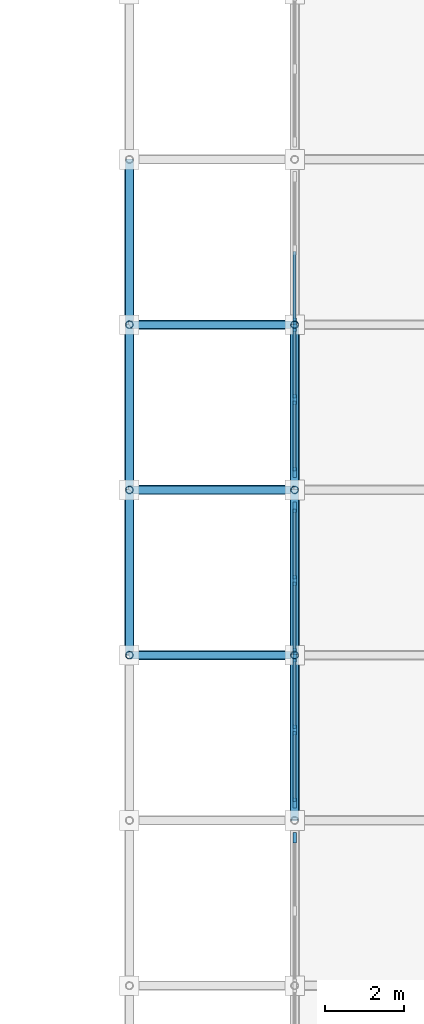
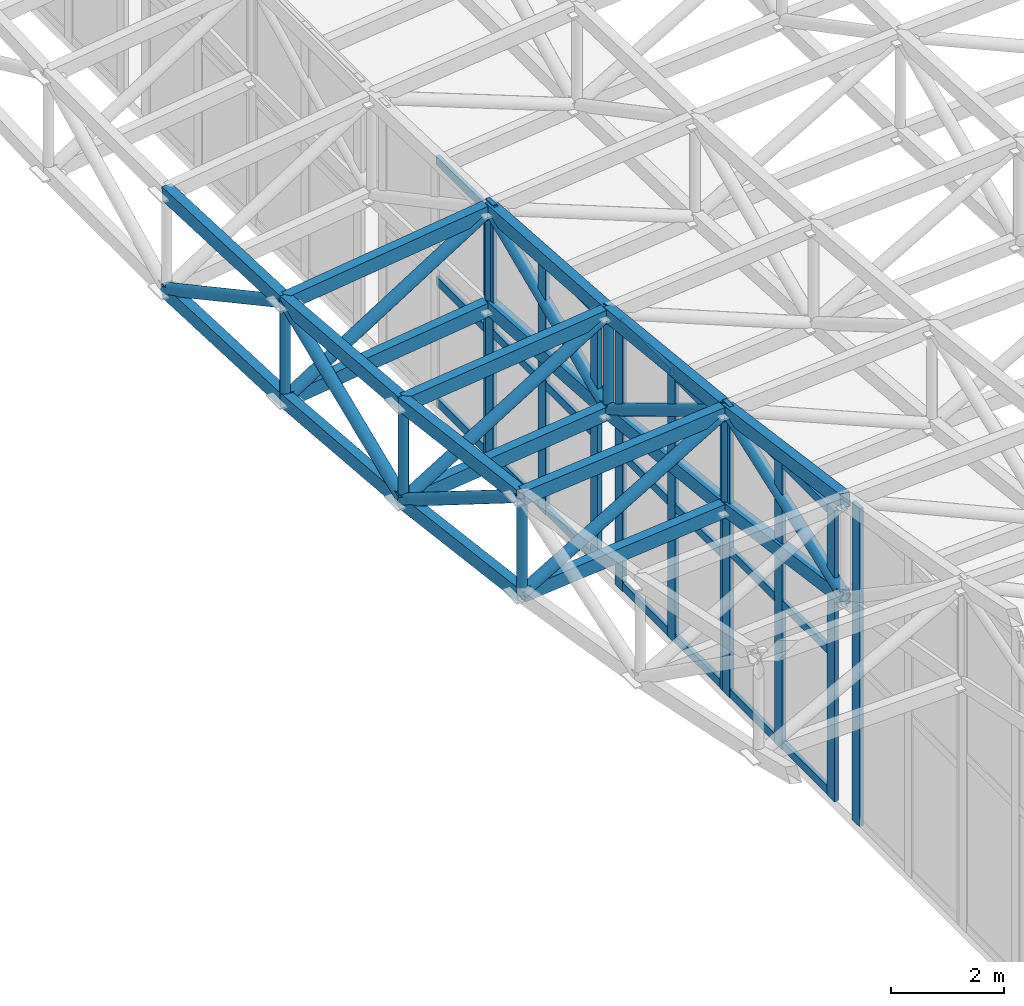
# One storey, part 29 of 123: 65 members, 5 elements without a shape of their own.
"""IFC4 building model written with IfcOpenShell, lengths in metres."""

from ifc_helpers import new_model, si_unit, direction, frame, origin, origin_2d, place, context, subcontext, project, spatial, rectangle, hollow_rectangle, hollow_circle, extrude, material, material_profile, profile_set, type_object, element, aggregate, save


model = new_model("IFC4")

# Units and contexts
model_context = context("Model", 3, precision=1e-05, world=origin(), true_north=direction((0.0, 1.0)))
body_context = subcontext(model_context, "Body", "Model", "MODEL_VIEW")
ifc_project = project(units=[si_unit("LENGTHUNIT", "METRE"), si_unit("AREAUNIT", "SQUARE_METRE"), si_unit("VOLUMEUNIT", "CUBIC_METRE"), si_unit("PLANEANGLEUNIT", "RADIAN"), si_unit("MASSUNIT", "GRAM", prefix="KILO")], contexts=[model_context])

# Site, building, storey
site_placement = place(None, origin())
site = spatial("IfcSite", under=ifc_project, at=site_placement, CompositionType="ELEMENT")
building_placement = place(site_placement, origin())
building = spatial("IfcBuilding", under=site, at=building_placement, Name="Cumbredor Promenade Congress Hotel", CompositionType="ELEMENT")
storey_placement = place(building_placement, frame((0.0, 0.0, 11.760009765625)))
storey = spatial("IfcBuildingStorey", under=building, at=storey_placement, Name="L03", CompositionType="ELEMENT", Elevation=11.760009765625)

# Members
ifc_material_1 = material(Name="Steel ASTM A500 Grade C", Category="steel")
ifc_material_profile_1 = material_profile(ifc_material_1, hollow_rectangle(XDim=0.199951171875, YDim=0.300048828125, WallThickness=0.012451171875, at=origin_2d()), Name="HSS 300x200x12.5")
ifc_profile_set_1 = profile_set([ifc_material_profile_1], Name="Steel ASTM A500 Grade C")
member_type_1 = type_object("IfcMemberType", Name="Ballroom Roof Space Frame Chord", PredefinedType="CHORD", material=ifc_profile_set_1)
for number, where, z_axis, x_axis, name in (
    (1, (138.60009765625, 21.0, 5.71240234375), (0.995622284371, 0.0, 0.093467999143), (0.0, 1.0, 0.0), "Grand Ballroom Pavilion X Top Chord 1.6"),
    (2, (138.60009765625, 21.0, 3.612548828125), (0.995627668519, 0.0, 0.093410629366), (0.0, 1.0, 0.0), "Grand Ballroom Pavilion X Bottom Chord 1.6"),
):
    element("IfcMember", number, at=place(storey_placement, frame(where, z_axis=z_axis, x_axis=x_axis)), inside=storey, type_object=member_type_1, Name=name, PredefinedType="CHORD", context=body_context, shape_type="SweptSolid", body=[
        extrude(hollow_rectangle(XDim=0.199951171875, YDim=0.300048828125, WallThickness=0.012451171875, at=origin_2d()), origin(), (0.0, 0.0, 1.0), 4.218505859375),
    ])
member_1_placement = place(storey_placement, frame((138.60009765625, 25.199951171875, 5.181884765625), z_axis=(0.993382355075, 0.0, 0.114854240786), x_axis=(0.0, 1.0, 0.0)))
element("IfcMember", 3, at=member_1_placement, inside=storey, type_object=member_type_1, Name="Grand Ballroom Pavilion X Top Chord 1.7", PredefinedType="CHORD", context=body_context, shape_type="SweptSolid", body=[
    extrude(hollow_rectangle(XDim=0.199951171875, YDim=0.300048828125, WallThickness=0.012451171875, at=origin_2d()), origin(), (0.0, 0.0, 1.0), 4.22802734375),
])
member_2_placement = place(storey_placement, frame((138.60009765625, 25.199951171875, 3.08203125), z_axis=(0.99338894182, 0.0, 0.114797257242), x_axis=(0.0, 1.0, 0.0)))
element("IfcMember", 4, at=member_2_placement, inside=storey, type_object=member_type_1, Name="Grand Ballroom Pavilion X Bottom Chord 1.7", PredefinedType="CHORD", context=body_context, shape_type="SweptSolid", body=[
    extrude(hollow_rectangle(XDim=0.199951171875, YDim=0.300048828125, WallThickness=0.012451171875, at=origin_2d()), origin(), (0.0, 0.0, 1.0), 4.227783203125),
])
for number, where, z_axis, x_axis, name in (
    (5, (138.60009765625, 29.39990234375, 4.828369140625), (0.991651121534, 0.0, 0.128949808689), (0.0, 1.0, 0.0), "Grand Ballroom Pavilion X Top Chord 1.8"),
    (6, (138.60009765625, 29.39990234375, 2.728271484375), (0.991643748834, 0.0, 0.129006493628), (0.0, 1.0, 0.0), "Grand Ballroom Pavilion X Bottom Chord 1.8"),
):
    element("IfcMember", number, at=place(storey_placement, frame(where, z_axis=z_axis, x_axis=x_axis)), inside=storey, type_object=member_type_1, Name=name, PredefinedType="CHORD", context=body_context, shape_type="SweptSolid", body=[
        extrude(hollow_rectangle(XDim=0.199951171875, YDim=0.300048828125, WallThickness=0.012451171875, at=origin_2d()), origin(), (0.0, 0.0, 1.0), 4.2353515625),
    ])
for number, where, z_axis, x_axis, name in (
    (7, (138.60009765625, 21.0, 5.71240234375), (0.0, 0.992116453102, -0.125319365959), (-1.0, 0.0, 0.0), "Grand Ballroom Pavilion Y Top Chord 1.6"),
    (8, (138.60009765625, 21.0, 3.612548828125), (0.0, 0.992116453102, -0.125319365959), (-1.0, 0.0, 0.0), "Grand Ballroom Pavilion Y Bottom Chord 1.6"),
):
    element("IfcMember", number, at=place(storey_placement, frame(where, z_axis=z_axis, x_axis=x_axis)), inside=storey, type_object=member_type_1, Name=name, PredefinedType="CHORD", context=body_context, shape_type="SweptSolid", body=[
        extrude(hollow_rectangle(XDim=0.199951171875, YDim=0.300048828125, WallThickness=0.012451171875, at=origin_2d()), origin(), (0.0, 0.0, 1.0), 4.2333984375),
    ])
for number, where, z_axis, x_axis, name in (
    (9, (138.60009765625, 25.199951171875, 5.181884765625), (0.0, 0.996476303168, -0.083874771086), (-1.0, 0.0, 0.0), "Grand Ballroom Pavilion Y Top Chord 1.7"),
    (10, (138.60009765625, 25.199951171875, 3.08203125), (0.0, 0.996471460241, -0.083932287734), (-1.0, 0.0, 0.0), "Grand Ballroom Pavilion Y Bottom Chord 1.7"),
):
    element("IfcMember", number, at=place(storey_placement, frame(where, z_axis=z_axis, x_axis=x_axis)), inside=storey, type_object=member_type_1, Name=name, PredefinedType="CHORD", context=body_context, shape_type="SweptSolid", body=[
        extrude(hollow_rectangle(XDim=0.199951171875, YDim=0.300048828125, WallThickness=0.012451171875, at=origin_2d()), origin(), (0.0, 0.0, 1.0), 4.21484375),
    ])
for number, where, z_axis, x_axis, name in (
    (11, (138.60009765625, 29.39990234375, 4.828369140625), (0.0, 0.999115675035, -0.0420460212), (-1.0, 0.0, 0.0), "Grand Ballroom Pavilion Y Top Chord 1.8"),
    (12, (138.60009765625, 29.39990234375, 2.728271484375), (0.0, 0.999115675035, -0.0420460212), (-1.0, 0.0, 0.0), "Grand Ballroom Pavilion Y Bottom Chord 1.8"),
):
    element("IfcMember", number, at=place(storey_placement, frame(where, z_axis=z_axis, x_axis=x_axis)), inside=storey, type_object=member_type_1, Name=name, PredefinedType="CHORD", context=body_context, shape_type="SweptSolid", body=[
        extrude(hollow_rectangle(XDim=0.199951171875, YDim=0.300048828125, WallThickness=0.012451171875, at=origin_2d()), origin(), (0.0, 0.0, 1.0), 4.203857421875),
    ])
for number, where, z_axis, x_axis, name in (
    (13, (142.800048828125, 16.800048828125, 6.69189453125), (0.0, 0.99043181531, -0.138002968162), (-1.0, 0.0, 0.0), "Grand Ballroom Pavilion Y Top Chord 2.5"),
    (14, (142.800048828125, 16.800048828125, 4.592041015625), (0.0, 0.990423944511, -0.138059444221), (-1.0, 0.0, 0.0), "Grand Ballroom Pavilion Y Bottom Chord 2.5"),
):
    element("IfcMember", number, at=place(storey_placement, frame(where, z_axis=z_axis, x_axis=x_axis)), inside=storey, type_object=member_type_1, Name=name, PredefinedType="CHORD", context=body_context, shape_type="SweptSolid", body=[
        extrude(hollow_rectangle(XDim=0.199951171875, YDim=0.300048828125, WallThickness=0.012451171875, at=origin_2d()), origin(), (0.0, 0.0, 1.0), 4.240478515625),
    ])
for number, where, z_axis, x_axis, name in (
    (15, (142.800048828125, 21.0, 6.106689453125), (0.0, 0.994576500093, -0.10400762214), (-1.0, 0.0, 0.0), "Grand Ballroom Pavilion Y Top Chord 2.6"),
    (16, (142.800048828125, 21.0, 4.006591796875), (0.0, 0.994576500093, -0.10400762214), (-1.0, 0.0, 0.0), "Grand Ballroom Pavilion Y Bottom Chord 2.6"),
):
    element("IfcMember", number, at=place(storey_placement, frame(where, z_axis=z_axis, x_axis=x_axis)), inside=storey, type_object=member_type_1, Name=name, PredefinedType="CHORD", context=body_context, shape_type="SweptSolid", body=[
        extrude(hollow_rectangle(XDim=0.199951171875, YDim=0.300048828125, WallThickness=0.012451171875, at=origin_2d()), origin(), (0.0, 0.0, 1.0), 4.222900390625),
    ])
for number, where, z_axis, x_axis, name in (
    (17, (142.800048828125, 25.199951171875, 5.66748046875), (0.0, 0.997575943438, -0.06958618451), (-1.0, 0.0, 0.0), "Grand Ballroom Pavilion Y Top Chord 2.7"),
    (18, (142.800048828125, 25.199951171875, 3.5673828125), (0.0, 0.997579967201, -0.069528476468), (-1.0, 0.0, 0.0), "Grand Ballroom Pavilion Y Bottom Chord 2.7"),
):
    element("IfcMember", number, at=place(storey_placement, frame(where, z_axis=z_axis, x_axis=x_axis)), inside=storey, type_object=member_type_1, Name=name, PredefinedType="CHORD", context=body_context, shape_type="SweptSolid", body=[
        extrude(hollow_rectangle(XDim=0.199951171875, YDim=0.300048828125, WallThickness=0.012451171875, at=origin_2d()), origin(), (0.0, 0.0, 1.0), 4.210205078125),
    ])

# Curtain wall, member
ifc_material_2 = material(Name="Thermally broken anodized aluminium and low-E glass", Category="aluminium")
curtain_wall_type = type_object("IfcCurtainWallType", Name="Stepped Pavilion Clerestory Curtain Wall CW-06", PredefinedType="NOTDEFINED", material=ifc_material_2)
curtain_wall_1_placement = place(storey_placement, origin())
curtain_wall_1 = element("IfcCurtainWall", 19, at=curtain_wall_1_placement, inside=storey, type_object=curtain_wall_type, Name="Grand Ballroom Pavilion W Glazed Clerestory 2", PredefinedType="NOTDEFINED")
ifc_material_3 = material(Name="Thermally broken anodized aluminium", Category="aluminium")
ifc_material_profile_2 = material_profile(ifc_material_3, rectangle(XDim=0.0849609375, YDim=0.260009765625, at=origin_2d()), Name="ALU MULLION CLERESTORY 85x260")
ifc_profile_set_2 = profile_set([ifc_material_profile_2], Name="Thermally broken anodized aluminium")
member_type_2 = type_object("IfcMemberType", Name="Curtain Wall Mullion ML-04", PredefinedType="MULLION", material=ifc_profile_set_2)
member_3_placement = place(storey_placement, frame((142.800048828125, 16.360107421875, -0.01806640625), z_axis=(0.0, 0.0, 1.0), x_axis=(1.0, 0.0, 0.0)))
member_3 = element("IfcMember", 20, at=member_3_placement, type_object=member_type_2, Name="Grand Ballroom Pavilion W Glazed Clerestory 2 Mullion 3", PredefinedType="MULLION", context=body_context, shape_type="SweptSolid", body=[
    extrude(rectangle(XDim=0.0849609375, YDim=0.260009765625, at=origin_2d()), origin(), (0.0, 0.0, 1.0), 6.885986328125),
])
aggregate(curtain_wall_1, [member_3])

# Curtain wall, members
curtain_wall_2_placement = place(storey_placement, origin())
curtain_wall_2 = element("IfcCurtainWall", 21, at=curtain_wall_2_placement, inside=storey, type_object=curtain_wall_type, Name="Grand Ballroom Pavilion W Glazed Clerestory 3", PredefinedType="NOTDEFINED")
member_4_placement = place(storey_placement, frame((142.800048828125, 17.239990234375, -0.01806640625), z_axis=(0.0, 0.0, 1.0), x_axis=(1.0, 0.0, 0.0)))
member_4 = element("IfcMember", 22, at=member_4_placement, type_object=member_type_2, Name="Grand Ballroom Pavilion W Glazed Clerestory 3 Mullion 1", PredefinedType="MULLION", context=body_context, shape_type="SweptSolid", body=[
    extrude(rectangle(XDim=0.0849609375, YDim=0.260009765625, at=origin_2d()), origin(), (0.0, 0.0, 1.0), 6.300537109375),
])
member_5_placement = place(storey_placement, frame((142.800048828125, 19.10009765625, -0.01806640625), z_axis=(0.0, 0.0, 1.0), x_axis=(1.0, 0.0, 0.0)))
member_5 = element("IfcMember", 23, at=member_5_placement, type_object=member_type_2, Name="Grand Ballroom Pavilion W Glazed Clerestory 3 Mullion 2", PredefinedType="MULLION", context=body_context, shape_type="SweptSolid", body=[
    extrude(rectangle(XDim=0.0849609375, YDim=0.260009765625, at=origin_2d()), origin(), (0.0, 0.0, 1.0), 6.300537109375),
])
member_6_placement = place(storey_placement, frame((142.800048828125, 20.9599609375, -0.01806640625), z_axis=(0.0, 0.0, 1.0), x_axis=(1.0, 0.0, 0.0)))
member_6 = element("IfcMember", 24, at=member_6_placement, type_object=member_type_2, Name="Grand Ballroom Pavilion W Glazed Clerestory 3 Mullion 3", PredefinedType="MULLION", context=body_context, shape_type="SweptSolid", body=[
    extrude(rectangle(XDim=0.0849609375, YDim=0.260009765625, at=origin_2d()), origin(), (0.0, 0.0, 1.0), 6.300537109375),
])

curtain_wall_3_placement = place(storey_placement, origin())
curtain_wall_3 = element("IfcCurtainWall", 25, at=curtain_wall_3_placement, inside=storey, type_object=curtain_wall_type, Name="Grand Ballroom Pavilion W Glazed Clerestory 4", PredefinedType="NOTDEFINED")
member_7_placement = place(storey_placement, frame((142.800048828125, 21.0400390625, -0.01806640625), z_axis=(0.0, 0.0, 1.0), x_axis=(1.0, 0.0, 0.0)))
member_7 = element("IfcMember", 26, at=member_7_placement, type_object=member_type_2, Name="Grand Ballroom Pavilion W Glazed Clerestory 4 Mullion 1", PredefinedType="MULLION", context=body_context, shape_type="SweptSolid", body=[
    extrude(rectangle(XDim=0.0849609375, YDim=0.260009765625, at=origin_2d()), origin(), (0.0, 0.0, 1.0), 5.861572265625),
])
member_8_placement = place(storey_placement, frame((142.800048828125, 22.89990234375, -0.01806640625), z_axis=(0.0, 0.0, 1.0), x_axis=(1.0, 0.0, 0.0)))
member_8 = element("IfcMember", 27, at=member_8_placement, type_object=member_type_2, Name="Grand Ballroom Pavilion W Glazed Clerestory 4 Mullion 2", PredefinedType="MULLION", context=body_context, shape_type="SweptSolid", body=[
    extrude(rectangle(XDim=0.0849609375, YDim=0.260009765625, at=origin_2d()), origin(), (0.0, 0.0, 1.0), 5.861572265625),
])
member_9_placement = place(storey_placement, frame((142.800048828125, 24.760009765625, -0.01806640625), z_axis=(0.0, 0.0, 1.0), x_axis=(1.0, 0.0, 0.0)))
member_9 = element("IfcMember", 28, at=member_9_placement, type_object=member_type_2, Name="Grand Ballroom Pavilion W Glazed Clerestory 4 Mullion 3", PredefinedType="MULLION", context=body_context, shape_type="SweptSolid", body=[
    extrude(rectangle(XDim=0.0849609375, YDim=0.260009765625, at=origin_2d()), origin(), (0.0, 0.0, 1.0), 5.861572265625),
])

curtain_wall_4_placement = place(storey_placement, origin())
curtain_wall_4 = element("IfcCurtainWall", 29, at=curtain_wall_4_placement, inside=storey, type_object=curtain_wall_type, Name="Grand Ballroom Pavilion W Glazed Clerestory 5", PredefinedType="NOTDEFINED")
member_10_placement = place(storey_placement, frame((142.800048828125, 25.639892578125, -0.01806640625), z_axis=(0.0, 0.0, 1.0), x_axis=(1.0, 0.0, 0.0)))
member_10 = element("IfcMember", 30, at=member_10_placement, type_object=member_type_2, Name="Grand Ballroom Pavilion W Glazed Clerestory 5 Mullion 1", PredefinedType="MULLION", context=body_context, shape_type="SweptSolid", body=[
    extrude(rectangle(XDim=0.0849609375, YDim=0.260009765625, at=origin_2d()), origin(), (0.0, 0.0, 1.0), 5.568603515625),
])
member_11_placement = place(storey_placement, frame((142.800048828125, 27.5, -0.01806640625), z_axis=(0.0, 0.0, 1.0), x_axis=(1.0, 0.0, 0.0)))
member_11 = element("IfcMember", 31, at=member_11_placement, type_object=member_type_2, Name="Grand Ballroom Pavilion W Glazed Clerestory 5 Mullion 2", PredefinedType="MULLION", context=body_context, shape_type="SweptSolid", body=[
    extrude(rectangle(XDim=0.0849609375, YDim=0.260009765625, at=origin_2d()), origin(), (0.0, 0.0, 1.0), 5.568603515625),
])
member_12_placement = place(storey_placement, frame((142.800048828125, 29.360107421875, -0.01806640625), z_axis=(0.0, 0.0, 1.0), x_axis=(1.0, 0.0, 0.0)))
member_12 = element("IfcMember", 32, at=member_12_placement, type_object=member_type_2, Name="Grand Ballroom Pavilion W Glazed Clerestory 5 Mullion 3", PredefinedType="MULLION", context=body_context, shape_type="SweptSolid", body=[
    extrude(rectangle(XDim=0.0849609375, YDim=0.260009765625, at=origin_2d()), origin(), (0.0, 0.0, 1.0), 5.568603515625),
])

# Curtain wall, member
curtain_wall_5_placement = place(storey_placement, origin())
curtain_wall_5 = element("IfcCurtainWall", 33, at=curtain_wall_5_placement, inside=storey, type_object=curtain_wall_type, Name="Grand Ballroom Pavilion W Glazed Clerestory 6", PredefinedType="NOTDEFINED")
member_13_placement = place(storey_placement, frame((142.800048828125, 29.43994140625, -0.01806640625), z_axis=(0.0, 0.0, 1.0), x_axis=(1.0, 0.0, 0.0)))
member_13 = element("IfcMember", 34, at=member_13_placement, type_object=member_type_2, Name="Grand Ballroom Pavilion W Glazed Clerestory 6 Mullion 1", PredefinedType="MULLION", context=body_context, shape_type="SweptSolid", body=[
    extrude(rectangle(XDim=0.0849609375, YDim=0.260009765625, at=origin_2d()), origin(), (0.0, 0.0, 1.0), 5.42236328125),
])

# Member
ifc_material_profile_3 = material_profile(ifc_material_3, rectangle(XDim=0.080078125, YDim=0.179931640625, at=origin_2d()), Name="ALU TRANSOM 80x180")
ifc_profile_set_3 = profile_set([ifc_material_profile_3], Name="Thermally broken anodized aluminium")
member_type_3 = type_object("IfcMemberType", Name="Curtain Wall Transom TR-03", PredefinedType="USERDEFINED", material=ifc_profile_set_3)
member_14_placement = place(storey_placement, frame((142.800048828125, 17.282470703125, 0.080078125), z_axis=(0.0, 1.0, 0.0), x_axis=(-1.0, 0.0, 0.0)))
member_14 = element("IfcMember", 35, at=member_14_placement, type_object=member_type_3, Name="Grand Ballroom Pavilion W Glazed Clerestory 3 Transom 1.1", ObjectType="TRANSOM", PredefinedType="USERDEFINED", context=body_context, shape_type="SweptSolid", body=[
    extrude(rectangle(XDim=0.080078125, YDim=0.179931640625, at=origin_2d()), origin(), (0.0, 0.0, 1.0), 1.775146484375),
])

member_15_placement = place(storey_placement, frame((142.800048828125, 17.282470703125, 3.1298828125), z_axis=(0.0, 1.0, 0.0), x_axis=(-1.0, 0.0, 0.0)))
member_15 = element("IfcMember", 36, at=member_15_placement, type_object=member_type_3, Name="Grand Ballroom Pavilion W Glazed Clerestory 3 Transom 1.2", ObjectType="TRANSOM", PredefinedType="USERDEFINED", context=body_context, shape_type="SweptSolid", body=[
    extrude(rectangle(XDim=0.080078125, YDim=0.179931640625, at=origin_2d()), origin(), (0.0, 0.0, 1.0), 1.775146484375),
])

member_16_placement = place(storey_placement, frame((142.800048828125, 17.282470703125, 6.179931640625), z_axis=(0.0, 1.0, 0.0), x_axis=(-1.0, 0.0, 0.0)))
member_16 = element("IfcMember", 37, at=member_16_placement, type_object=member_type_3, Name="Grand Ballroom Pavilion W Glazed Clerestory 3 Transom 1.3", ObjectType="TRANSOM", PredefinedType="USERDEFINED", context=body_context, shape_type="SweptSolid", body=[
    extrude(rectangle(XDim=0.080078125, YDim=0.179931640625, at=origin_2d()), origin(), (0.0, 0.0, 1.0), 1.775146484375),
])

member_17_placement = place(storey_placement, frame((142.800048828125, 19.142578125, 0.080078125), z_axis=(0.0, 1.0, 0.0), x_axis=(-1.0, 0.0, 0.0)))
member_17 = element("IfcMember", 38, at=member_17_placement, type_object=member_type_3, Name="Grand Ballroom Pavilion W Glazed Clerestory 3 Transom 2.1", ObjectType="TRANSOM", PredefinedType="USERDEFINED", context=body_context, shape_type="SweptSolid", body=[
    extrude(rectangle(XDim=0.080078125, YDim=0.179931640625, at=origin_2d()), origin(), (0.0, 0.0, 1.0), 1.77490234375),
])

member_18_placement = place(storey_placement, frame((142.800048828125, 19.142578125, 3.1298828125), z_axis=(0.0, 1.0, 0.0), x_axis=(-1.0, 0.0, 0.0)))
member_18 = element("IfcMember", 39, at=member_18_placement, type_object=member_type_3, Name="Grand Ballroom Pavilion W Glazed Clerestory 3 Transom 2.2", ObjectType="TRANSOM", PredefinedType="USERDEFINED", context=body_context, shape_type="SweptSolid", body=[
    extrude(rectangle(XDim=0.080078125, YDim=0.179931640625, at=origin_2d()), origin(), (0.0, 0.0, 1.0), 1.77490234375),
])

member_19_placement = place(storey_placement, frame((142.800048828125, 19.142578125, 6.179931640625), z_axis=(0.0, 1.0, 0.0), x_axis=(-1.0, 0.0, 0.0)))
member_19 = element("IfcMember", 40, at=member_19_placement, type_object=member_type_3, Name="Grand Ballroom Pavilion W Glazed Clerestory 3 Transom 2.3", ObjectType="TRANSOM", PredefinedType="USERDEFINED", context=body_context, shape_type="SweptSolid", body=[
    extrude(rectangle(XDim=0.080078125, YDim=0.179931640625, at=origin_2d()), origin(), (0.0, 0.0, 1.0), 1.77490234375),
])

aggregate(curtain_wall_2, [member_4, member_5, member_6, member_14, member_15, member_16, member_17, member_18, member_19])

member_20_placement = place(storey_placement, frame((142.800048828125, 21.08251953125, 0.080078125), z_axis=(0.0, 1.0, 0.0), x_axis=(-1.0, 0.0, 0.0)))
member_20 = element("IfcMember", 41, at=member_20_placement, type_object=member_type_3, Name="Grand Ballroom Pavilion W Glazed Clerestory 4 Transom 1.1", ObjectType="TRANSOM", PredefinedType="USERDEFINED", context=body_context, shape_type="SweptSolid", body=[
    extrude(rectangle(XDim=0.080078125, YDim=0.179931640625, at=origin_2d()), origin(), (0.0, 0.0, 1.0), 1.77490234375),
])

member_21_placement = place(storey_placement, frame((142.800048828125, 21.08251953125, 2.919921875), z_axis=(0.0, 1.0, 0.0), x_axis=(-1.0, 0.0, 0.0)))
member_21 = element("IfcMember", 42, at=member_21_placement, type_object=member_type_3, Name="Grand Ballroom Pavilion W Glazed Clerestory 4 Transom 1.2", ObjectType="TRANSOM", PredefinedType="USERDEFINED", context=body_context, shape_type="SweptSolid", body=[
    extrude(rectangle(XDim=0.080078125, YDim=0.179931640625, at=origin_2d()), origin(), (0.0, 0.0, 1.0), 1.77490234375),
])

member_22_placement = place(storey_placement, frame((142.800048828125, 21.08251953125, 5.75), z_axis=(0.0, 1.0, 0.0), x_axis=(-1.0, 0.0, 0.0)))
member_22 = element("IfcMember", 43, at=member_22_placement, type_object=member_type_3, Name="Grand Ballroom Pavilion W Glazed Clerestory 4 Transom 1.3", ObjectType="TRANSOM", PredefinedType="USERDEFINED", context=body_context, shape_type="SweptSolid", body=[
    extrude(rectangle(XDim=0.080078125, YDim=0.179931640625, at=origin_2d()), origin(), (0.0, 0.0, 1.0), 1.77490234375),
])

member_23_placement = place(storey_placement, frame((142.800048828125, 22.9423828125, 0.080078125), z_axis=(0.0, 1.0, 0.0), x_axis=(-1.0, 0.0, 0.0)))
member_23 = element("IfcMember", 44, at=member_23_placement, type_object=member_type_3, Name="Grand Ballroom Pavilion W Glazed Clerestory 4 Transom 2.1", ObjectType="TRANSOM", PredefinedType="USERDEFINED", context=body_context, shape_type="SweptSolid", body=[
    extrude(rectangle(XDim=0.080078125, YDim=0.179931640625, at=origin_2d()), origin(), (0.0, 0.0, 1.0), 1.775146484375),
])

member_24_placement = place(storey_placement, frame((142.800048828125, 22.9423828125, 2.919921875), z_axis=(0.0, 1.0, 0.0), x_axis=(-1.0, 0.0, 0.0)))
member_24 = element("IfcMember", 45, at=member_24_placement, type_object=member_type_3, Name="Grand Ballroom Pavilion W Glazed Clerestory 4 Transom 2.2", ObjectType="TRANSOM", PredefinedType="USERDEFINED", context=body_context, shape_type="SweptSolid", body=[
    extrude(rectangle(XDim=0.080078125, YDim=0.179931640625, at=origin_2d()), origin(), (0.0, 0.0, 1.0), 1.775146484375),
])

member_25_placement = place(storey_placement, frame((142.800048828125, 22.9423828125, 5.75), z_axis=(0.0, 1.0, 0.0), x_axis=(-1.0, 0.0, 0.0)))
member_25 = element("IfcMember", 46, at=member_25_placement, type_object=member_type_3, Name="Grand Ballroom Pavilion W Glazed Clerestory 4 Transom 2.3", ObjectType="TRANSOM", PredefinedType="USERDEFINED", context=body_context, shape_type="SweptSolid", body=[
    extrude(rectangle(XDim=0.080078125, YDim=0.179931640625, at=origin_2d()), origin(), (0.0, 0.0, 1.0), 1.775146484375),
])

aggregate(curtain_wall_3, [member_7, member_8, member_9, member_20, member_21, member_22, member_23, member_24, member_25])

member_26_placement = place(storey_placement, frame((142.800048828125, 25.6826171875, 0.080078125), z_axis=(0.0, 1.0, 0.0), x_axis=(-1.0, 0.0, 0.0)))
member_26 = element("IfcMember", 47, at=member_26_placement, type_object=member_type_3, Name="Grand Ballroom Pavilion W Glazed Clerestory 5 Transom 1.1", ObjectType="TRANSOM", PredefinedType="USERDEFINED", context=body_context, shape_type="SweptSolid", body=[
    extrude(rectangle(XDim=0.080078125, YDim=0.179931640625, at=origin_2d()), origin(), (0.0, 0.0, 1.0), 1.77490234375),
])

member_27_placement = place(storey_placement, frame((142.800048828125, 25.6826171875, 2.77001953125), z_axis=(0.0, 1.0, 0.0), x_axis=(-1.0, 0.0, 0.0)))
member_27 = element("IfcMember", 48, at=member_27_placement, type_object=member_type_3, Name="Grand Ballroom Pavilion W Glazed Clerestory 5 Transom 1.2", ObjectType="TRANSOM", PredefinedType="USERDEFINED", context=body_context, shape_type="SweptSolid", body=[
    extrude(rectangle(XDim=0.080078125, YDim=0.179931640625, at=origin_2d()), origin(), (0.0, 0.0, 1.0), 1.77490234375),
])

member_28_placement = place(storey_placement, frame((142.800048828125, 25.6826171875, 5.449951171875), z_axis=(0.0, 1.0, 0.0), x_axis=(-1.0, 0.0, 0.0)))
member_28 = element("IfcMember", 49, at=member_28_placement, type_object=member_type_3, Name="Grand Ballroom Pavilion W Glazed Clerestory 5 Transom 1.3", ObjectType="TRANSOM", PredefinedType="USERDEFINED", context=body_context, shape_type="SweptSolid", body=[
    extrude(rectangle(XDim=0.080078125, YDim=0.179931640625, at=origin_2d()), origin(), (0.0, 0.0, 1.0), 1.77490234375),
])

member_29_placement = place(storey_placement, frame((142.800048828125, 27.54248046875, 0.080078125), z_axis=(0.0, 1.0, 0.0), x_axis=(-1.0, 0.0, 0.0)))
member_29 = element("IfcMember", 50, at=member_29_placement, type_object=member_type_3, Name="Grand Ballroom Pavilion W Glazed Clerestory 5 Transom 2.1", ObjectType="TRANSOM", PredefinedType="USERDEFINED", context=body_context, shape_type="SweptSolid", body=[
    extrude(rectangle(XDim=0.080078125, YDim=0.179931640625, at=origin_2d()), origin(), (0.0, 0.0, 1.0), 1.77490234375),
])

member_30_placement = place(storey_placement, frame((142.800048828125, 27.54248046875, 2.77001953125), z_axis=(0.0, 1.0, 0.0), x_axis=(-1.0, 0.0, 0.0)))
member_30 = element("IfcMember", 51, at=member_30_placement, type_object=member_type_3, Name="Grand Ballroom Pavilion W Glazed Clerestory 5 Transom 2.2", ObjectType="TRANSOM", PredefinedType="USERDEFINED", context=body_context, shape_type="SweptSolid", body=[
    extrude(rectangle(XDim=0.080078125, YDim=0.179931640625, at=origin_2d()), origin(), (0.0, 0.0, 1.0), 1.77490234375),
])

member_31_placement = place(storey_placement, frame((142.800048828125, 27.54248046875, 5.449951171875), z_axis=(0.0, 1.0, 0.0), x_axis=(-1.0, 0.0, 0.0)))
member_31 = element("IfcMember", 52, at=member_31_placement, type_object=member_type_3, Name="Grand Ballroom Pavilion W Glazed Clerestory 5 Transom 2.3", ObjectType="TRANSOM", PredefinedType="USERDEFINED", context=body_context, shape_type="SweptSolid", body=[
    extrude(rectangle(XDim=0.080078125, YDim=0.179931640625, at=origin_2d()), origin(), (0.0, 0.0, 1.0), 1.77490234375),
])

aggregate(curtain_wall_4, [member_10, member_11, member_12, member_26, member_27, member_28, member_29, member_30, member_31])

member_32_placement = place(storey_placement, frame((142.800048828125, 29.482421875, 0.080078125), z_axis=(0.0, 1.0, 0.0), x_axis=(-1.0, 0.0, 0.0)))
member_32 = element("IfcMember", 53, at=member_32_placement, type_object=member_type_3, Name="Grand Ballroom Pavilion W Glazed Clerestory 6 Transom 1.1", ObjectType="TRANSOM", PredefinedType="USERDEFINED", context=body_context, shape_type="SweptSolid", body=[
    extrude(rectangle(XDim=0.080078125, YDim=0.179931640625, at=origin_2d()), origin(), (0.0, 0.0, 1.0), 1.775146484375),
])

member_33_placement = place(storey_placement, frame((142.800048828125, 29.482421875, 2.699951171875), z_axis=(0.0, 1.0, 0.0), x_axis=(-1.0, 0.0, 0.0)))
member_33 = element("IfcMember", 54, at=member_33_placement, type_object=member_type_3, Name="Grand Ballroom Pavilion W Glazed Clerestory 6 Transom 1.2", ObjectType="TRANSOM", PredefinedType="USERDEFINED", context=body_context, shape_type="SweptSolid", body=[
    extrude(rectangle(XDim=0.080078125, YDim=0.179931640625, at=origin_2d()), origin(), (0.0, 0.0, 1.0), 1.775146484375),
])

member_34_placement = place(storey_placement, frame((142.800048828125, 29.482421875, 5.31005859375), z_axis=(0.0, 1.0, 0.0), x_axis=(-1.0, 0.0, 0.0)))
member_34 = element("IfcMember", 55, at=member_34_placement, type_object=member_type_3, Name="Grand Ballroom Pavilion W Glazed Clerestory 6 Transom 1.3", ObjectType="TRANSOM", PredefinedType="USERDEFINED", context=body_context, shape_type="SweptSolid", body=[
    extrude(rectangle(XDim=0.080078125, YDim=0.179931640625, at=origin_2d()), origin(), (0.0, 0.0, 1.0), 1.775146484375),
])

aggregate(curtain_wall_5, [member_13, member_32, member_33, member_34])

# Members
ifc_material_profile_4 = material_profile(ifc_material_1, hollow_circle(Radius=0.122314453125, WallThickness=0.012451171875, at=origin_2d()), Name="CHS 244.5x12.5")
ifc_profile_set_4 = profile_set([ifc_material_profile_4], Name="Steel ASTM A500 Grade C")
member_type_4 = type_object("IfcMemberType", Name="Space Frame Web Diagonal D2", PredefinedType="BRACE", material=ifc_profile_set_4)
member_35_placement = place(storey_placement, frame((138.60009765625, 21.0, 3.612548828125), z_axis=(0.859817030467, 0.0, 0.510602266073), x_axis=(0.0, 1.0, 0.0)))
element("IfcMember", 56, at=member_35_placement, inside=storey, type_object=member_type_4, Name="Grand Ballroom Pavilion X Web Diagonal 1.6", PredefinedType="BRACE", context=body_context, shape_type="SweptSolid", body=[
    extrude(hollow_circle(Radius=0.122314453125, WallThickness=0.012451171875, at=origin_2d()), origin(), (0.0, 0.0, 1.0), 4.884765625),
])
member_36_placement = place(storey_placement, frame((138.60009765625, 25.199951171875, 3.08203125), z_axis=(0.851580124067, 0.0, 0.524224467469), x_axis=(0.0, 1.0, 0.0)))
element("IfcMember", 57, at=member_36_placement, inside=storey, type_object=member_type_4, Name="Grand Ballroom Pavilion X Web Diagonal 1.7", PredefinedType="BRACE", context=body_context, shape_type="SweptSolid", body=[
    extrude(hollow_circle(Radius=0.122314453125, WallThickness=0.012451171875, at=origin_2d()), origin(), (0.0, 0.0, 1.0), 4.931884765625),
])
member_37_placement = place(storey_placement, frame((138.60009765625, 29.39990234375, 2.728271484375), z_axis=(0.846066896531, 0.0, 0.533076736122), x_axis=(0.0, 1.0, 0.0)))
element("IfcMember", 58, at=member_37_placement, inside=storey, type_object=member_type_4, Name="Grand Ballroom Pavilion X Web Diagonal 1.8", PredefinedType="BRACE", context=body_context, shape_type="SweptSolid", body=[
    extrude(hollow_circle(Radius=0.122314453125, WallThickness=0.012451171875, at=origin_2d()), origin(), (0.0, 0.0, 1.0), 4.964111328125),
])
member_38_placement = place(storey_placement, frame((138.60009765625, 21.0, 5.71240234375), z_axis=(0.0, 0.84750805815, -0.530782527379), x_axis=(-1.0, 0.0, 0.0)))
element("IfcMember", 59, at=member_38_placement, inside=storey, type_object=member_type_4, Name="Grand Ballroom Pavilion Y Web Diagonal 1.6", PredefinedType="BRACE", context=body_context, shape_type="SweptSolid", body=[
    extrude(hollow_circle(Radius=0.122314453125, WallThickness=0.012451171875, at=origin_2d()), origin(), (0.0, 0.0, 1.0), 4.95556640625),
])
member_39_placement = place(storey_placement, frame((138.60009765625, 25.199951171875, 3.08203125), z_axis=(0.0, 0.923360923051, 0.383933074614), x_axis=(-1.0, 0.0, 0.0)))
element("IfcMember", 60, at=member_39_placement, inside=storey, type_object=member_type_4, Name="Grand Ballroom Pavilion Y Web Diagonal 1.7", PredefinedType="BRACE", context=body_context, shape_type="SweptSolid", body=[
    extrude(hollow_circle(Radius=0.122314453125, WallThickness=0.012451171875, at=origin_2d()), origin(), (0.0, 0.0, 1.0), 4.548583984375),
])
member_40_placement = place(storey_placement, frame((138.60009765625, 29.39990234375, 4.828369140625), z_axis=(0.0, 0.879138549889, -0.476566270417), x_axis=(-1.0, 0.0, 0.0)))
element("IfcMember", 61, at=member_40_placement, inside=storey, type_object=member_type_4, Name="Grand Ballroom Pavilion Y Web Diagonal 1.8", PredefinedType="BRACE", context=body_context, shape_type="SweptSolid", body=[
    extrude(hollow_circle(Radius=0.122314453125, WallThickness=0.012451171875, at=origin_2d()), origin(), (0.0, 0.0, 1.0), 4.777587890625),
])
member_41_placement = place(storey_placement, frame((142.800048828125, 16.800048828125, 4.592041015625), z_axis=(0.0, 0.940696960208, 0.339248034711), x_axis=(-1.0, 0.0, 0.0)))
element("IfcMember", 62, at=member_41_placement, inside=storey, type_object=member_type_4, Name="Grand Ballroom Pavilion Y Web Diagonal 2.5", PredefinedType="BRACE", context=body_context, shape_type="SweptSolid", body=[
    extrude(hollow_circle(Radius=0.122314453125, WallThickness=0.012451171875, at=origin_2d()), origin(), (0.0, 0.0, 1.0), 4.46484375),
])
member_42_placement = place(storey_placement, frame((142.800048828125, 21.0, 6.106689453125), z_axis=(0.0, 0.855749910689, -0.51738968907), x_axis=(-1.0, 0.0, 0.0)))
element("IfcMember", 63, at=member_42_placement, inside=storey, type_object=member_type_4, Name="Grand Ballroom Pavilion Y Web Diagonal 2.6", PredefinedType="BRACE", context=body_context, shape_type="SweptSolid", body=[
    extrude(hollow_circle(Radius=0.122314453125, WallThickness=0.012451171875, at=origin_2d()), origin(), (0.0, 0.0, 1.0), 4.907958984375),
])
member_43_placement = place(storey_placement, frame((142.800048828125, 25.199951171875, 3.5673828125), z_axis=(0.0, 0.918577894865, 0.395239991733), x_axis=(-1.0, 0.0, 0.0)))
element("IfcMember", 64, at=member_43_placement, inside=storey, type_object=member_type_4, Name="Grand Ballroom Pavilion Y Web Diagonal 2.7", PredefinedType="BRACE", context=body_context, shape_type="SweptSolid", body=[
    extrude(hollow_circle(Radius=0.122314453125, WallThickness=0.012451171875, at=origin_2d()), origin(), (0.0, 0.0, 1.0), 4.572265625),
])
ifc_material_profile_5 = material_profile(ifc_material_1, hollow_circle(Radius=0.096923828125, WallThickness=0.010009765625, at=origin_2d()), Name="CHS 193.7x10")
ifc_profile_set_5 = profile_set([ifc_material_profile_5], Name="Steel ASTM A500 Grade C")
member_type_5 = type_object("IfcMemberType", Name="Space Frame Web Post P1", PredefinedType="BRACE", material=ifc_profile_set_5)
for number, where, z_axis, x_axis, name in (
    (65, (138.60009765625, 21.0, 3.612548828125), (0.0, 0.0, 1.0), (1.0, 0.0, 0.0), "Grand Ballroom Pavilion Space Frame Web Post 1.6"),
    (66, (138.60009765625, 25.199951171875, 3.08203125), (0.0, 0.0, 1.0), (1.0, 0.0, 0.0), "Grand Ballroom Pavilion Space Frame Web Post 1.7"),
):
    element("IfcMember", number, at=place(storey_placement, frame(where, z_axis=z_axis, x_axis=x_axis)), inside=storey, type_object=member_type_5, Name=name, PredefinedType="BRACE", context=body_context, shape_type="SweptSolid", body=[
        extrude(hollow_circle(Radius=0.096923828125, WallThickness=0.010009765625, at=origin_2d()), origin(), (0.0, 0.0, 1.0), 2.099853515625),
    ])
for number, where, z_axis, x_axis, name in (
    (67, (138.60009765625, 29.39990234375, 2.728271484375), (0.0, 0.0, 1.0), (1.0, 0.0, 0.0), "Grand Ballroom Pavilion Space Frame Web Post 1.8"),
    (68, (142.800048828125, 21.0, 4.006591796875), (0.0, 0.0, 1.0), (1.0, 0.0, 0.0), "Grand Ballroom Pavilion Space Frame Web Post 2.6"),
    (69, (142.800048828125, 25.199951171875, 3.5673828125), (0.0, 0.0, 1.0), (1.0, 0.0, 0.0), "Grand Ballroom Pavilion Space Frame Web Post 2.7"),
):
    element("IfcMember", number, at=place(storey_placement, frame(where, z_axis=z_axis, x_axis=x_axis)), inside=storey, type_object=member_type_5, Name=name, PredefinedType="BRACE", context=body_context, shape_type="SweptSolid", body=[
        extrude(hollow_circle(Radius=0.096923828125, WallThickness=0.010009765625, at=origin_2d()), origin(), (0.0, 0.0, 1.0), 2.10009765625),
    ])
member_44_placement = place(storey_placement, frame((142.800048828125, 29.39990234375, 3.274658203125), z_axis=(0.0, 0.0, 1.0), x_axis=(1.0, 0.0, 0.0)))
element("IfcMember", 70, at=member_44_placement, inside=storey, type_object=member_type_5, Name="Grand Ballroom Pavilion Space Frame Web Post 2.8", PredefinedType="BRACE", context=body_context, shape_type="SweptSolid", body=[
    extrude(hollow_circle(Radius=0.096923828125, WallThickness=0.010009765625, at=origin_2d()), origin(), (0.0, 0.0, 1.0), 2.099853515625),
])

save(model, "model.ifc")
